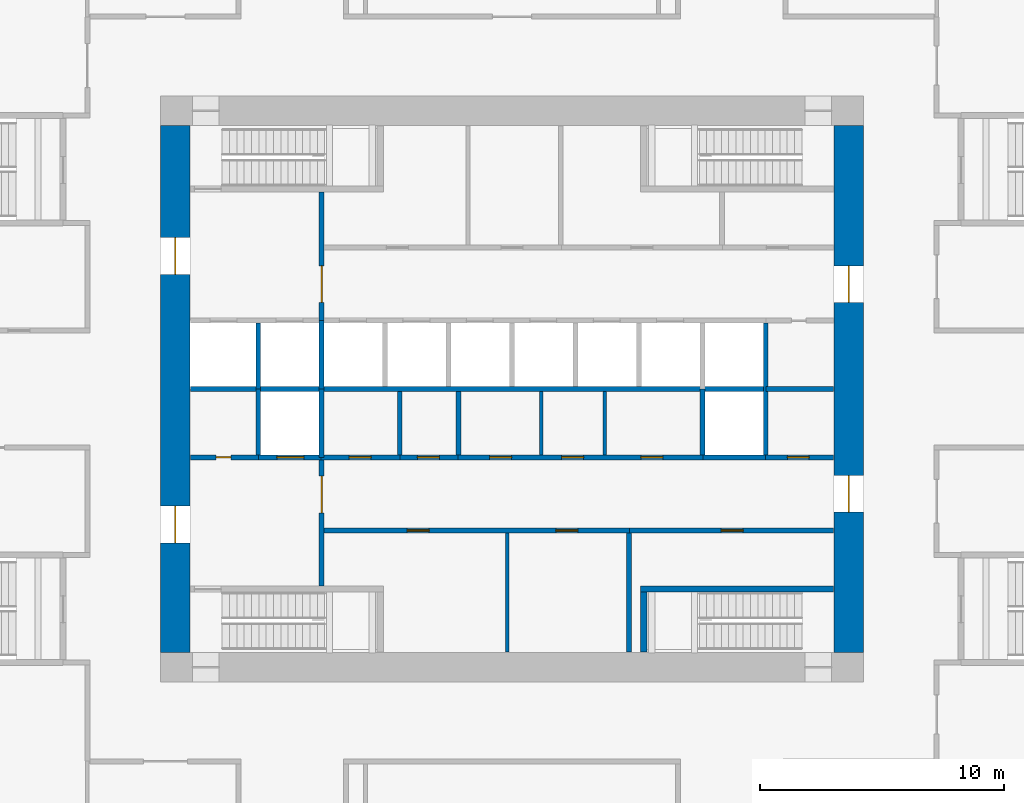
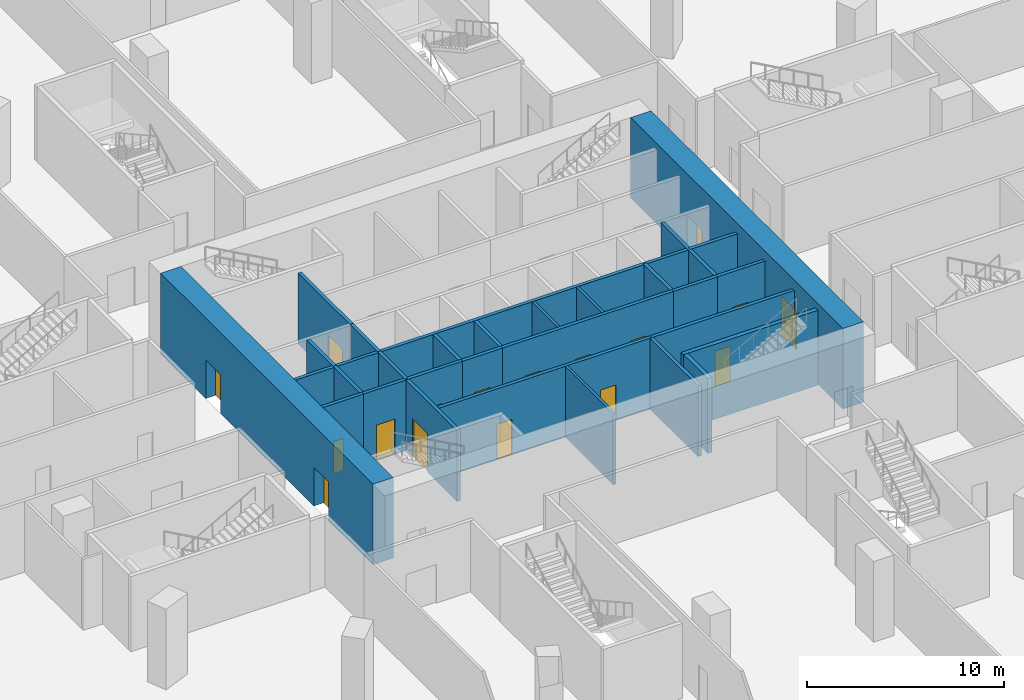
# One storey, part 23 of 32: 29 walls, 17 doors, 17 openings.
"""IFC4 building model written with IfcOpenShell, lengths in metres."""

from ifc_helpers import new_model, si_unit, direction, frame, frame_2d, origin, place, context, subcontext, project, spatial, rectangle, extrude, material, layer, layer_set, type_object, element, fill, save


model = new_model("IFC4")

# Units and contexts
model_context = context("Model", 3, precision=1e-05, world=origin(), true_north=direction((0.0, 1.0)))
body_context = subcontext(model_context, "Body", "Model", "MODEL_VIEW")
ifc_project = project(units=[si_unit("LENGTHUNIT", "METRE"), si_unit("AREAUNIT", "SQUARE_METRE"), si_unit("VOLUMEUNIT", "CUBIC_METRE"), si_unit("PLANEANGLEUNIT", "RADIAN"), si_unit("MASSUNIT", "GRAM", prefix="KILO")], contexts=[model_context])

# Site, building, storey
site_placement = place(None, origin())
site = spatial("IfcSite", under=ifc_project, at=site_placement, CompositionType="ELEMENT")
building_placement = place(site_placement, origin())
building = spatial("IfcBuilding", under=site, at=building_placement, Name="Msitu Wima Residences", CompositionType="ELEMENT")
storey_placement = place(building_placement, frame((0.0, 0.0, 6.0)))
storey = spatial("IfcBuildingStorey", under=building, at=storey_placement, Name="L01", CompositionType="ELEMENT", Elevation=6.0)

# Wall, openings, doors
ifc_material_1 = material(Name="Concrete C80/95", Category="concrete")
ifc_layer_1 = layer(ifc_material_1, 1.199951171875)
ifc_layer_set_1 = layer_set([ifc_layer_1], Name="Concrete C80/95")
wall_type_1 = type_object("IfcWallType", Name="Core wall CW1200 C80/95", PredefinedType="SHEAR", material=ifc_layer_set_1)
wall_1_placement = place(storey_placement, frame((13.800048828125, -10.800048828125, 0.0), z_axis=(0.0, 0.0, 1.0), x_axis=(0.0, 1.0, 0.0)))
wall_1 = element("IfcWall", 1, at=wall_1_placement, inside=storey, type_object=wall_type_1, Name="Core wall", PredefinedType="SHEAR", context=body_context, shape_type="SweptSolid", body=[
    extrude(rectangle(XDim=21.60009765625, YDim=1.199951171875, at=frame_2d((10.800048828125, 0.0))), origin(), (0.0, 0.0, 1.0), 5.0),
])
opening_1_placement = place(wall_1_placement, frame((14.35009765625, 0.0, 0.0)))
opening_1 = element("IfcOpeningElement", 2, at=opening_1_placement, cuts=wall_1, Name="Opening D01.059", PredefinedType="OPENING", context=body_context, shape_type="SweptSolid", body=[
    extrude(rectangle(XDim=1.5, YDim=2.39990234375, at=frame_2d((0.75, 1.199951171875))), frame((0.0, 0.60986328125, 0.0), z_axis=(0.0, -1.0, 0.0), x_axis=(1.0, 0.0, 0.0)), (0.0, 0.0, 1.0), 1.219970703125),
])
opening_2_placement = place(wall_1_placement, frame((5.75, 0.0, 0.0)))
opening_2 = element("IfcOpeningElement", 3, at=opening_2_placement, cuts=wall_1, Name="Opening D01.060", PredefinedType="OPENING", context=body_context, shape_type="SweptSolid", body=[
    extrude(rectangle(XDim=1.5, YDim=2.39990234375, at=frame_2d((0.75, 1.199951171875))), frame((0.0, 0.60986328125, 0.0), z_axis=(0.0, -1.0, 0.0), x_axis=(1.0, 0.0, 0.0)), (0.0, 0.0, 1.0), 1.219970703125),
])
ifc_material_2 = material(Name="Steel framed glazed door, fire resisting", Category="steel")
door_type_1 = type_object("IfcDoorType", Name="Lobby door D07 1500x2400", OperationType="DOUBLE_DOOR_SINGLE_SWING", PredefinedType="DOOR", material=ifc_material_2)
door_1_placement = place(opening_1_placement, origin())
door_1 = element("IfcDoor", 4, at=door_1_placement, inside=storey, type_object=door_type_1, Name="Lobby door", OperationType="DOUBLE_DOOR_SINGLE_SWING", OverallHeight=2.39990234375, OverallWidth=1.5, PredefinedType="DOOR", context=body_context, shape_type="SweptSolid", body=[
    extrude(rectangle(XDim=1.5, YDim=2.39990234375, at=frame_2d((0.75, 1.199951171875))), frame((0.0, 0.02490234375, 0.0), z_axis=(0.0, -1.0, 0.0), x_axis=(1.0, 0.0, 0.0)), (0.0, 0.0, 1.0), 0.050048828125),
])
fill(opening_1, door_1)
door_2_placement = place(opening_2_placement, origin())
door_2 = element("IfcDoor", 5, at=door_2_placement, inside=storey, type_object=door_type_1, Name="Lobby door", OperationType="DOUBLE_DOOR_SINGLE_SWING", OverallHeight=2.39990234375, OverallWidth=1.5, PredefinedType="DOOR", context=body_context, shape_type="SweptSolid", body=[
    extrude(rectangle(XDim=1.5, YDim=2.39990234375, at=frame_2d((0.75, 1.199951171875))), frame((0.0, 0.02490234375, 0.0), z_axis=(0.0, -1.0, 0.0), x_axis=(1.0, 0.0, 0.0)), (0.0, 0.0, 1.0), 0.050048828125),
])
fill(opening_2, door_2)

wall_2_placement = place(storey_placement, frame((-13.800048828125, -10.800048828125, 0.0), z_axis=(0.0, 0.0, 1.0), x_axis=(0.0, 1.0, 0.0)))
wall_2 = element("IfcWall", 6, at=wall_2_placement, inside=storey, type_object=wall_type_1, Name="Core wall", PredefinedType="SHEAR", context=body_context, shape_type="SweptSolid", body=[
    extrude(rectangle(XDim=21.60009765625, YDim=1.199951171875, at=frame_2d((10.800048828125, 0.0))), origin(), (0.0, 0.0, 1.0), 5.0),
])
opening_3_placement = place(wall_2_placement, frame((15.5, 0.0, 0.0)))
opening_3 = element("IfcOpeningElement", 7, at=opening_3_placement, cuts=wall_2, Name="Opening D01.061", PredefinedType="OPENING", context=body_context, shape_type="SweptSolid", body=[
    extrude(rectangle(XDim=1.5, YDim=2.39990234375, at=frame_2d((0.75, 1.199951171875))), frame((0.0, 0.60986328125, 0.0), z_axis=(0.0, -1.0, 0.0), x_axis=(1.0, 0.0, 0.0)), (0.0, 0.0, 1.0), 1.219970703125),
])
opening_4_placement = place(wall_2_placement, frame((4.5, 0.0, 0.0)))
opening_4 = element("IfcOpeningElement", 8, at=opening_4_placement, cuts=wall_2, Name="Opening D01.062", PredefinedType="OPENING", context=body_context, shape_type="SweptSolid", body=[
    extrude(rectangle(XDim=1.5, YDim=2.39990234375, at=frame_2d((0.75, 1.199951171875))), frame((0.0, 0.60986328125, 0.0), z_axis=(0.0, -1.0, 0.0), x_axis=(1.0, 0.0, 0.0)), (0.0, 0.0, 1.0), 1.219970703125),
])
door_3_placement = place(opening_3_placement, origin())
door_3 = element("IfcDoor", 9, at=door_3_placement, inside=storey, type_object=door_type_1, Name="Lobby door", OperationType="DOUBLE_DOOR_SINGLE_SWING", OverallHeight=2.39990234375, OverallWidth=1.5, PredefinedType="DOOR", context=body_context, shape_type="SweptSolid", body=[
    extrude(rectangle(XDim=1.5, YDim=2.39990234375, at=frame_2d((0.75, 1.199951171875))), frame((0.0, 0.02490234375, 0.0), z_axis=(0.0, -1.0, 0.0), x_axis=(1.0, 0.0, 0.0)), (0.0, 0.0, 1.0), 0.050048828125),
])
fill(opening_3, door_3)
door_4_placement = place(opening_4_placement, origin())
door_4 = element("IfcDoor", 10, at=door_4_placement, inside=storey, type_object=door_type_1, Name="Lobby door", OperationType="DOUBLE_DOOR_SINGLE_SWING", OverallHeight=2.39990234375, OverallWidth=1.5, PredefinedType="DOOR", context=body_context, shape_type="SweptSolid", body=[
    extrude(rectangle(XDim=1.5, YDim=2.39990234375, at=frame_2d((0.75, 1.199951171875))), frame((0.0, 0.02490234375, 0.0), z_axis=(0.0, -1.0, 0.0), x_axis=(1.0, 0.0, 0.0)), (0.0, 0.0, 1.0), 0.050048828125),
])
fill(opening_4, door_4)

# Wall, opening, door
ifc_material_3 = material(Name="Plaster")
ifc_layer_2 = layer(ifc_material_3, 0.011962890625, Name="Plaster")
ifc_material_4 = material(Name="Concrete blockwork", Category="masonry")
ifc_layer_3 = layer(ifc_material_4, 0.176025390625, Name="Concrete blockwork")
ifc_layer_4 = layer(ifc_material_3, 0.011962890625, Name="Plaster")
ifc_layer_set_2 = layer_set([ifc_layer_2, ifc_layer_3, ifc_layer_4], Name="Concrete blockwork")
wall_type_2 = type_object("IfcWallType", Name="Corridor wall FW200", PredefinedType="PARTITIONING", material=ifc_layer_set_2)
wall_3_placement = place(storey_placement, frame((-7.820068359375, -2.800048828125, 0.0), z_axis=(0.0, 0.0, 1.0), x_axis=(1.0, 0.0, 0.0)))
wall_3 = element("IfcWall", 11, at=wall_3_placement, inside=storey, type_object=wall_type_2, Name="Corridor wall", PredefinedType="PARTITIONING", context=body_context, shape_type="SweptSolid", body=[
    extrude(rectangle(XDim=3.239990234375, YDim=0.199951171875, at=frame_2d((1.6201171875, 0.0))), origin(), (0.0, 0.0, 1.0), 4.39990234375),
])
opening_5_placement = place(wall_3_placement, frame((1.14990234375, 0.0, 0.0)))
opening_5 = element("IfcOpeningElement", 12, at=opening_5_placement, cuts=wall_3, Name="Opening D01.021", PredefinedType="OPENING", context=body_context, shape_type="SweptSolid", body=[
    extrude(rectangle(XDim=0.89990234375, YDim=2.199951171875, at=frame_2d((0.449951171875, 1.10009765625))), frame((0.0, 0.10986328125, 0.0), z_axis=(0.0, -1.0, 0.0), x_axis=(1.0, 0.0, 0.0)), (0.0, 0.0, 1.0), 0.219970703125),
])
ifc_material_5 = material(Name="Timber flush door", Category="wood")
door_type_2 = type_object("IfcDoorType", Name="Service door D05 900x2200", OperationType="SINGLE_SWING_LEFT", PredefinedType="DOOR", material=ifc_material_5)
door_5_placement = place(opening_5_placement, origin())
door_5 = element("IfcDoor", 13, at=door_5_placement, inside=storey, type_object=door_type_2, Name="Service door", OperationType="SINGLE_SWING_LEFT", OverallHeight=2.199951171875, OverallWidth=0.89990234375, PredefinedType="DOOR", context=body_context, shape_type="SweptSolid", body=[
    extrude(rectangle(XDim=0.89990234375, YDim=2.199951171875, at=frame_2d((0.449951171875, 1.10009765625))), frame((0.0, 0.02490234375, 0.0), z_axis=(0.0, -1.0, 0.0), x_axis=(1.0, 0.0, 0.0)), (0.0, 0.0, 1.0), 0.050048828125),
])
fill(opening_5, door_5)

wall_4_placement = place(storey_placement, frame((-7.800048828125, -8.074951171875, 0.0), z_axis=(0.0, 0.0, 1.0), x_axis=(0.0, 1.0, 0.0)))
wall_4 = element("IfcWall", 14, at=wall_4_placement, inside=storey, type_object=wall_type_2, Name="Corridor wall", PredefinedType="PARTITIONING", context=body_context, shape_type="SweptSolid", body=[
    extrude(rectangle(XDim=5.27490234375, YDim=0.199951171875, at=frame_2d((2.637451171875, 0.0))), origin(), (0.0, 0.0, 1.0), 4.39990234375),
])
opening_6_placement = place(wall_4_placement, frame((3.0, 0.0, 0.0)))
opening_6 = element("IfcOpeningElement", 15, at=opening_6_placement, cuts=wall_4, Name="Opening D01.011", PredefinedType="OPENING", context=body_context, shape_type="SweptSolid", body=[
    extrude(rectangle(XDim=1.5, YDim=2.39990234375, at=frame_2d((0.75, 1.199951171875))), frame((0.0, 0.10986328125, 0.0), z_axis=(0.0, -1.0, 0.0), x_axis=(1.0, 0.0, 0.0)), (0.0, 0.0, 1.0), 0.219970703125),
])
door_6_placement = place(opening_6_placement, origin())
door_6 = element("IfcDoor", 16, at=door_6_placement, inside=storey, type_object=door_type_1, Name="Lobby door", OperationType="DOUBLE_DOOR_SINGLE_SWING", OverallHeight=2.39990234375, OverallWidth=1.5, PredefinedType="DOOR", context=body_context, shape_type="SweptSolid", body=[
    extrude(rectangle(XDim=1.5, YDim=2.39990234375, at=frame_2d((0.75, 1.199951171875))), frame((0.0, 0.02490234375, 0.0), z_axis=(0.0, -1.0, 0.0), x_axis=(1.0, 0.0, 0.0)), (0.0, 0.0, 1.0), 0.050048828125),
])
fill(opening_6, door_6)

# Wall, openings, doors
wall_5_placement = place(storey_placement, frame((-7.699951171875, -5.800048828125, 0.0), z_axis=(0.0, 0.0, 1.0), x_axis=(1.0, 0.0, 0.0)))
wall_5 = element("IfcWall", 17, at=wall_5_placement, inside=storey, type_object=wall_type_2, Name="Corridor wall", PredefinedType="PARTITIONING", context=body_context, shape_type="SweptSolid", body=[
    extrude(rectangle(XDim=12.52001953125, YDim=0.199951171875, at=frame_2d((6.260009765625, 0.0))), origin(), (0.0, 0.0, 1.0), 4.39990234375),
])
opening_7_placement = place(wall_5_placement, frame((3.39990234375, 0.0, 0.0)))
opening_7 = element("IfcOpeningElement", 18, at=opening_7_placement, cuts=wall_5, Name="Opening D01.016", PredefinedType="OPENING", context=body_context, shape_type="SweptSolid", body=[
    extrude(rectangle(XDim=0.89990234375, YDim=2.199951171875, at=frame_2d((0.449951171875, 1.10009765625))), frame((0.0, 0.10986328125, 0.0), z_axis=(0.0, -1.0, 0.0), x_axis=(1.0, 0.0, 0.0)), (0.0, 0.0, 1.0), 0.219970703125),
])
opening_8_placement = place(wall_5_placement, frame((9.5, 0.0, 0.0)))
opening_8 = element("IfcOpeningElement", 19, at=opening_8_placement, cuts=wall_5, Name="Opening D01.017", PredefinedType="OPENING", context=body_context, shape_type="SweptSolid", body=[
    extrude(rectangle(XDim=0.89990234375, YDim=2.199951171875, at=frame_2d((0.449951171875, 1.10009765625))), frame((0.0, 0.10986328125, 0.0), z_axis=(0.0, -1.0, 0.0), x_axis=(1.0, 0.0, 0.0)), (0.0, 0.0, 1.0), 0.219970703125),
])
door_7_placement = place(opening_7_placement, origin())
door_7 = element("IfcDoor", 20, at=door_7_placement, inside=storey, type_object=door_type_2, Name="Service door", OperationType="SINGLE_SWING_RIGHT", OverallHeight=2.199951171875, OverallWidth=0.89990234375, PredefinedType="DOOR", context=body_context, shape_type="SweptSolid", body=[
    extrude(rectangle(XDim=0.89990234375, YDim=2.199951171875, at=frame_2d((0.449951171875, 1.10009765625))), frame((0.0, 0.02490234375, 0.0), z_axis=(0.0, -1.0, 0.0), x_axis=(1.0, 0.0, 0.0)), (0.0, 0.0, 1.0), 0.050048828125),
])
fill(opening_7, door_7)
door_8_placement = place(opening_8_placement, origin())
door_8 = element("IfcDoor", 21, at=door_8_placement, inside=storey, type_object=door_type_2, Name="Service door", OperationType="SINGLE_SWING_RIGHT", OverallHeight=2.199951171875, OverallWidth=0.89990234375, PredefinedType="DOOR", context=body_context, shape_type="SweptSolid", body=[
    extrude(rectangle(XDim=0.89990234375, YDim=2.199951171875, at=frame_2d((0.449951171875, 1.10009765625))), frame((0.0, 0.02490234375, 0.0), z_axis=(0.0, -1.0, 0.0), x_axis=(1.0, 0.0, 0.0)), (0.0, 0.0, 1.0), 0.050048828125),
])
fill(opening_8, door_8)

# Wall, opening, door
wall_6_placement = place(storey_placement, frame((-7.800048828125, 2.800048828125, 0.0), z_axis=(0.0, 0.0, 1.0), x_axis=(0.0, 1.0, 0.0)))
wall_6 = element("IfcWall", 22, at=wall_6_placement, inside=storey, type_object=wall_type_2, Name="Corridor wall", PredefinedType="PARTITIONING", context=body_context, shape_type="SweptSolid", body=[
    extrude(rectangle(XDim=5.27490234375, YDim=0.199951171875, at=frame_2d((2.637451171875, 0.0))), origin(), (0.0, 0.0, 1.0), 4.39990234375),
])
opening_9_placement = place(wall_6_placement, frame((0.75, 0.0, 0.0)))
opening_9 = element("IfcOpeningElement", 23, at=opening_9_placement, cuts=wall_6, Name="Opening D01.010", PredefinedType="OPENING", context=body_context, shape_type="SweptSolid", body=[
    extrude(rectangle(XDim=1.5, YDim=2.39990234375, at=frame_2d((0.75, 1.199951171875))), frame((0.0, 0.10986328125, 0.0), z_axis=(0.0, -1.0, 0.0), x_axis=(1.0, 0.0, 0.0)), (0.0, 0.0, 1.0), 0.219970703125),
])
door_9_placement = place(opening_9_placement, origin())
door_9 = element("IfcDoor", 24, at=door_9_placement, inside=storey, type_object=door_type_1, Name="Lobby door", OperationType="DOUBLE_DOOR_SINGLE_SWING", OverallHeight=2.39990234375, OverallWidth=1.5, PredefinedType="DOOR", context=body_context, shape_type="SweptSolid", body=[
    extrude(rectangle(XDim=1.5, YDim=2.39990234375, at=frame_2d((0.75, 1.199951171875))), frame((0.0, 0.02490234375, 0.0), z_axis=(0.0, -1.0, 0.0), x_axis=(1.0, 0.0, 0.0)), (0.0, 0.0, 1.0), 0.050048828125),
])
fill(opening_9, door_9)

# Wall, openings, doors
wall_7_placement = place(storey_placement, frame((-2.219970703125, -2.800048828125, 0.0), z_axis=(0.0, 0.0, 1.0), x_axis=(1.0, 0.0, 0.0)))
wall_7 = element("IfcWall", 25, at=wall_7_placement, inside=storey, type_object=wall_type_2, Name="Corridor wall", PredefinedType="PARTITIONING", context=body_context, shape_type="SweptSolid", body=[
    extrude(rectangle(XDim=10.0400390625, YDim=0.199951171875, at=frame_2d((5.02001953125, 0.0))), origin(), (0.0, 0.0, 1.0), 4.39990234375),
])
opening_10_placement = place(wall_7_placement, frame((1.300048828125, 0.0, 0.0)))
opening_10 = element("IfcOpeningElement", 26, at=opening_10_placement, cuts=wall_7, Name="Opening D01.023", PredefinedType="OPENING", context=body_context, shape_type="SweptSolid", body=[
    extrude(rectangle(XDim=0.89990234375, YDim=2.199951171875, at=frame_2d((0.449951171875, 1.10009765625))), frame((0.0, 0.10986328125, 0.0), z_axis=(0.0, -1.0, 0.0), x_axis=(1.0, 0.0, 0.0)), (0.0, 0.0, 1.0), 0.219970703125),
])
opening_11_placement = place(wall_7_placement, frame((4.25, 0.0, 0.0)))
opening_11 = element("IfcOpeningElement", 27, at=opening_11_placement, cuts=wall_7, Name="Opening D01.024", PredefinedType="OPENING", context=body_context, shape_type="SweptSolid", body=[
    extrude(rectangle(XDim=0.89990234375, YDim=2.199951171875, at=frame_2d((0.449951171875, 1.10009765625))), frame((0.0, 0.10986328125, 0.0), z_axis=(0.0, -1.0, 0.0), x_axis=(1.0, 0.0, 0.0)), (0.0, 0.0, 1.0), 0.219970703125),
])
opening_12_placement = place(wall_7_placement, frame((7.5, 0.0, 0.0)))
opening_12 = element("IfcOpeningElement", 28, at=opening_12_placement, cuts=wall_7, Name="Opening D01.025", PredefinedType="OPENING", context=body_context, shape_type="SweptSolid", body=[
    extrude(rectangle(XDim=0.89990234375, YDim=2.199951171875, at=frame_2d((0.449951171875, 1.10009765625))), frame((0.0, 0.10986328125, 0.0), z_axis=(0.0, -1.0, 0.0), x_axis=(1.0, 0.0, 0.0)), (0.0, 0.0, 1.0), 0.219970703125),
])
door_10_placement = place(opening_10_placement, origin())
door_10 = element("IfcDoor", 29, at=door_10_placement, inside=storey, type_object=door_type_2, Name="Service door", OperationType="SINGLE_SWING_RIGHT", OverallHeight=2.199951171875, OverallWidth=0.89990234375, PredefinedType="DOOR", context=body_context, shape_type="SweptSolid", body=[
    extrude(rectangle(XDim=0.89990234375, YDim=2.199951171875, at=frame_2d((0.449951171875, 1.10009765625))), frame((0.0, 0.02490234375, 0.0), z_axis=(0.0, -1.0, 0.0), x_axis=(1.0, 0.0, 0.0)), (0.0, 0.0, 1.0), 0.050048828125),
])
fill(opening_10, door_10)
door_11_placement = place(opening_11_placement, origin())
door_11 = element("IfcDoor", 30, at=door_11_placement, inside=storey, type_object=door_type_2, Name="Service door", OperationType="SINGLE_SWING_LEFT", OverallHeight=2.199951171875, OverallWidth=0.89990234375, PredefinedType="DOOR", context=body_context, shape_type="SweptSolid", body=[
    extrude(rectangle(XDim=0.89990234375, YDim=2.199951171875, at=frame_2d((0.449951171875, 1.10009765625))), frame((0.0, 0.02490234375, 0.0), z_axis=(0.0, -1.0, 0.0), x_axis=(1.0, 0.0, 0.0)), (0.0, 0.0, 1.0), 0.050048828125),
])
fill(opening_11, door_11)
door_12_placement = place(opening_12_placement, origin())
door_12 = element("IfcDoor", 31, at=door_12_placement, inside=storey, type_object=door_type_2, Name="Service door", OperationType="SINGLE_SWING_LEFT", OverallHeight=2.199951171875, OverallWidth=0.89990234375, PredefinedType="DOOR", context=body_context, shape_type="SweptSolid", body=[
    extrude(rectangle(XDim=0.89990234375, YDim=2.199951171875, at=frame_2d((0.449951171875, 1.10009765625))), frame((0.0, 0.02490234375, 0.0), z_axis=(0.0, -1.0, 0.0), x_axis=(1.0, 0.0, 0.0)), (0.0, 0.0, 1.0), 0.050048828125),
])
fill(opening_12, door_12)

# Walls
ifc_layer_5 = layer(ifc_material_3, 0.011962890625, Name="Plaster")
ifc_layer_6 = layer(ifc_material_4, 0.1259765625, Name="Concrete blockwork")
ifc_layer_7 = layer(ifc_material_3, 0.011962890625, Name="Plaster")
ifc_layer_set_3 = layer_set([ifc_layer_5, ifc_layer_6, ifc_layer_7], Name="Concrete blockwork")
wall_type_3 = type_object("IfcWallType", Name="Partition PW150", PredefinedType="PARTITIONING", material=ifc_layer_set_3)
wall_8_placement = place(storey_placement, frame((-0.199951171875, -10.77001953125, 0.0), z_axis=(0.0, 0.0, 1.0), x_axis=(0.0, 1.0, 0.0)))
element("IfcWall", 32, at=wall_8_placement, inside=storey, type_object=wall_type_3, Name="Partition", PredefinedType="PARTITIONING", context=body_context, shape_type="SweptSolid", body=[
    extrude(rectangle(XDim=4.8701171875, YDim=0.14990234375, at=frame_2d((2.43505859375, 0.0))), origin(), (0.0, 0.0, 1.0), 4.39990234375),
])
for number, where, z_axis, x_axis, name in (
    (33, (1.199951171875, -2.699951171875, 0.0), (0.0, 0.0, 1.0), (0.0, 1.0, 0.0), "Partition"),
    (34, (3.800048828125, -2.699951171875, 0.0), (0.0, 0.0, 1.0), (0.0, 1.0, 0.0), "Partition"),
):
    element("IfcWall", number, at=place(storey_placement, frame(where, z_axis=z_axis, x_axis=x_axis)), inside=storey, type_object=wall_type_3, Name=name, PredefinedType="PARTITIONING", context=body_context, shape_type="SweptSolid", body=[
        extrude(rectangle(XDim=2.599853515625, YDim=0.14990234375, at=frame_2d((1.2998046875, 0.0))), origin(), (0.0, 0.0, 1.0), 4.39990234375),
    ])

# Wall, opening, door
ifc_layer_8 = layer(ifc_material_3, 0.011962890625, Name="Plaster")
ifc_material_6 = material(Name="Reinforced concrete blockwork", Category="masonry")
ifc_layer_9 = layer(ifc_material_6, 0.176025390625, Name="Reinforced concrete blockwork")
ifc_layer_10 = layer(ifc_material_3, 0.011962890625, Name="Plaster")
ifc_layer_set_4 = layer_set([ifc_layer_8, ifc_layer_9, ifc_layer_10], Name="Reinforced concrete blockwork")
wall_type_4 = type_object("IfcWallType", Name="Plant and riser wall PL200", PredefinedType="PARTITIONING", material=ifc_layer_set_4)
wall_9_placement = place(storey_placement, frame((-13.169921875, -2.800048828125, 0.0), z_axis=(0.0, 0.0, 1.0), x_axis=(1.0, 0.0, 0.0)))
wall_9 = element("IfcWall", 35, at=wall_9_placement, inside=storey, type_object=wall_type_4, Name="Plant and riser wall", PredefinedType="PARTITIONING", context=body_context, shape_type="SweptSolid", body=[
    extrude(rectangle(XDim=2.7900390625, YDim=0.199951171875, at=frame_2d((1.39501953125, 0.0))), origin(), (0.0, 0.0, 1.0), 4.39990234375),
])
opening_13_placement = place(wall_9_placement, frame((1.050048828125, 0.0, 0.0)))
opening_13 = element("IfcOpeningElement", 36, at=opening_13_placement, cuts=wall_9, Name="Opening D01.020", PredefinedType="OPENING", context=body_context, shape_type="SweptSolid", body=[
    extrude(rectangle(XDim=0.60009765625, YDim=2.0, at=frame_2d((0.300048828125, 1.0))), frame((0.0, 0.10986328125, 0.0), z_axis=(0.0, -1.0, 0.0), x_axis=(1.0, 0.0, 0.0)), (0.0, 0.0, 1.0), 0.219970703125),
])
ifc_material_7 = material(Name="Steel access door, fire resisting", Category="steel")
door_type_3 = type_object("IfcDoorType", Name="Riser access door D08 600x2000", OperationType="SINGLE_SWING_LEFT", PredefinedType="DOOR", material=ifc_material_7)
door_13_placement = place(opening_13_placement, origin())
door_13 = element("IfcDoor", 37, at=door_13_placement, inside=storey, type_object=door_type_3, Name="Riser access door", OperationType="SINGLE_SWING_RIGHT", OverallHeight=2.0, OverallWidth=0.60009765625, PredefinedType="DOOR", context=body_context, shape_type="SweptSolid", body=[
    extrude(rectangle(XDim=0.60009765625, YDim=2.0, at=frame_2d((0.300048828125, 1.0))), frame((0.0, 0.02490234375, 0.0), z_axis=(0.0, -1.0, 0.0), x_axis=(1.0, 0.0, 0.0)), (0.0, 0.0, 1.0), 0.050048828125),
])
fill(opening_13, door_13)

wall_10_placement = place(storey_placement, frame((-4.580078125, -2.800048828125, 0.0), z_axis=(0.0, 0.0, 1.0), x_axis=(1.0, 0.0, 0.0)))
wall_10 = element("IfcWall", 38, at=wall_10_placement, inside=storey, type_object=wall_type_4, Name="Plant and riser wall", PredefinedType="PARTITIONING", context=body_context, shape_type="SweptSolid", body=[
    extrude(rectangle(XDim=2.360107421875, YDim=0.199951171875, at=frame_2d((1.18017578125, 0.0))), origin(), (0.0, 0.0, 1.0), 4.39990234375),
])
opening_14_placement = place(wall_10_placement, frame((0.699951171875, 0.0, 0.0)))
opening_14 = element("IfcOpeningElement", 39, at=opening_14_placement, cuts=wall_10, Name="Opening D01.022", PredefinedType="OPENING", context=body_context, shape_type="SweptSolid", body=[
    extrude(rectangle(XDim=0.89990234375, YDim=2.199951171875, at=frame_2d((0.449951171875, 1.10009765625))), frame((0.0, 0.10986328125, 0.0), z_axis=(0.0, -1.0, 0.0), x_axis=(1.0, 0.0, 0.0)), (0.0, 0.0, 1.0), 0.219970703125),
])
door_14_placement = place(opening_14_placement, origin())
door_14 = element("IfcDoor", 40, at=door_14_placement, inside=storey, type_object=door_type_2, Name="Service door", OperationType="SINGLE_SWING_LEFT", OverallHeight=2.199951171875, OverallWidth=0.89990234375, PredefinedType="DOOR", context=body_context, shape_type="SweptSolid", body=[
    extrude(rectangle(XDim=0.89990234375, YDim=2.199951171875, at=frame_2d((0.449951171875, 1.10009765625))), frame((0.0, 0.02490234375, 0.0), z_axis=(0.0, -1.0, 0.0), x_axis=(1.0, 0.0, 0.0)), (0.0, 0.0, 1.0), 0.050048828125),
])
fill(opening_14, door_14)

# Walls
for number, where, z_axis, x_axis, name in (
    (41, (-4.60009765625, -2.699951171875, 0.0), (0.0, 0.0, 1.0), (0.0, 1.0, 0.0), "Plant and riser wall"),
    (42, (-2.199951171875, -2.699951171875, 0.0), (0.0, 0.0, 1.0), (0.0, 1.0, 0.0), "Plant and riser wall"),
):
    element("IfcWall", number, at=place(storey_placement, frame(where, z_axis=z_axis, x_axis=x_axis)), inside=storey, type_object=wall_type_4, Name=name, PredefinedType="PARTITIONING", context=body_context, shape_type="SweptSolid", body=[
        extrude(rectangle(XDim=2.599853515625, YDim=0.199951171875, at=frame_2d((1.2998046875, 0.0))), origin(), (0.0, 0.0, 1.0), 4.39990234375),
    ])

# Wall, opening, door
wall_11_placement = place(storey_placement, frame((4.820068359375, -5.800048828125, 0.0), z_axis=(0.0, 0.0, 1.0), x_axis=(1.0, 0.0, 0.0)))
wall_11 = element("IfcWall", 43, at=wall_11_placement, inside=storey, type_object=wall_type_4, Name="Plant and riser wall", PredefinedType="PARTITIONING", context=body_context, shape_type="SweptSolid", body=[
    extrude(rectangle(XDim=8.349853515625, YDim=0.199951171875, at=frame_2d((4.1748046875, 0.0))), origin(), (0.0, 0.0, 1.0), 4.39990234375),
])
opening_15_placement = place(wall_11_placement, frame((3.75, 0.0, 0.0)))
opening_15 = element("IfcOpeningElement", 44, at=opening_15_placement, cuts=wall_11, Name="Opening D01.018", PredefinedType="OPENING", context=body_context, shape_type="SweptSolid", body=[
    extrude(rectangle(XDim=0.89990234375, YDim=2.199951171875, at=frame_2d((0.449951171875, 1.10009765625))), frame((0.0, 0.10986328125, 0.0), z_axis=(0.0, -1.0, 0.0), x_axis=(1.0, 0.0, 0.0)), (0.0, 0.0, 1.0), 0.219970703125),
])
door_15_placement = place(opening_15_placement, origin())
door_15 = element("IfcDoor", 45, at=door_15_placement, inside=storey, type_object=door_type_2, Name="Service door", OperationType="SINGLE_SWING_LEFT", OverallHeight=2.199951171875, OverallWidth=0.89990234375, PredefinedType="DOOR", context=body_context, shape_type="SweptSolid", body=[
    extrude(rectangle(XDim=0.89990234375, YDim=2.199951171875, at=frame_2d((0.449951171875, 1.10009765625))), frame((0.0, 0.02490234375, 0.0), z_axis=(0.0, -1.0, 0.0), x_axis=(1.0, 0.0, 0.0)), (0.0, 0.0, 1.0), 0.050048828125),
])
fill(opening_15, door_15)

# Wall
wall_12_placement = place(storey_placement, frame((4.800048828125, -10.77001953125, 0.0), z_axis=(0.0, 0.0, 1.0), x_axis=(0.0, 1.0, 0.0)))
element("IfcWall", 46, at=wall_12_placement, inside=storey, type_object=wall_type_4, Name="Plant and riser wall", PredefinedType="PARTITIONING", context=body_context, shape_type="SweptSolid", body=[
    extrude(rectangle(XDim=4.8701171875, YDim=0.199951171875, at=frame_2d((2.43505859375, 0.0))), origin(), (0.0, 0.0, 1.0), 4.39990234375),
])

# Wall, opening, door
wall_13_placement = place(storey_placement, frame((10.3798828125, -2.800048828125, 0.0), z_axis=(0.0, 0.0, 1.0), x_axis=(1.0, 0.0, 0.0)))
wall_13 = element("IfcWall", 47, at=wall_13_placement, inside=storey, type_object=wall_type_4, Name="Plant and riser wall", PredefinedType="PARTITIONING", context=body_context, shape_type="SweptSolid", body=[
    extrude(rectangle(XDim=2.7900390625, YDim=0.199951171875, at=frame_2d((1.39501953125, 0.0))), origin(), (0.0, 0.0, 1.0), 4.39990234375),
])
opening_16_placement = place(wall_13_placement, frame((0.89990234375, 0.0, 0.0)))
opening_16 = element("IfcOpeningElement", 48, at=opening_16_placement, cuts=wall_13, Name="Opening D01.009", PredefinedType="OPENING", context=body_context, shape_type="SweptSolid", body=[
    extrude(rectangle(XDim=0.89990234375, YDim=2.199951171875, at=frame_2d((0.449951171875, 1.10009765625))), frame((0.0, 0.10986328125, 0.0), z_axis=(0.0, -1.0, 0.0), x_axis=(1.0, 0.0, 0.0)), (0.0, 0.0, 1.0), 0.219970703125),
])
door_16_placement = place(opening_16_placement, origin())
door_16 = element("IfcDoor", 49, at=door_16_placement, inside=storey, type_object=door_type_2, Name="Service door", OperationType="SINGLE_SWING_LEFT", OverallHeight=2.199951171875, OverallWidth=0.89990234375, PredefinedType="DOOR", context=body_context, shape_type="SweptSolid", body=[
    extrude(rectangle(XDim=0.89990234375, YDim=2.199951171875, at=frame_2d((0.449951171875, 1.10009765625))), frame((0.0, 0.02490234375, 0.0), z_axis=(0.0, -1.0, 0.0), x_axis=(1.0, 0.0, 0.0)), (0.0, 0.0, 1.0), 0.050048828125),
])
fill(opening_16, door_16)

# Walls
wall_14_placement = place(storey_placement, frame((10.39990234375, 0.0, 0.0), z_axis=(0.0, 0.0, 1.0), x_axis=(1.0, 0.0, 0.0)))
element("IfcWall", 50, at=wall_14_placement, inside=storey, type_object=wall_type_4, Name="Plant and riser wall", PredefinedType="PARTITIONING", context=body_context, shape_type="SweptSolid", body=[
    extrude(rectangle(XDim=2.77001953125, YDim=0.199951171875, at=frame_2d((1.385009765625, 0.0))), origin(), (0.0, 0.0, 1.0), 4.39990234375),
])
ifc_material_8 = material(Name="Fire-rated board")
ifc_layer_11 = layer(ifc_material_8, 0.02490234375, Name="Fire-rated board")
ifc_material_9 = material(Name="Light-gauge stud framing with mineral wool")
ifc_layer_12 = layer(ifc_material_9, 0.14990234375, Name="Light-gauge stud framing with mineral wool")
ifc_layer_13 = layer(ifc_material_8, 0.02490234375, Name="Fire-rated board")
ifc_layer_set_5 = layer_set([ifc_layer_11, ifc_layer_12, ifc_layer_13], Name="Light-gauge stud framing with mineral wool")
wall_type_5 = type_object("IfcWallType", Name="Shaft wall SH200", PredefinedType="PARTITIONING", material=ifc_layer_set_5)
wall_15_placement = place(storey_placement, frame((-13.169921875, 0.0, 0.0), z_axis=(0.0, 0.0, 1.0), x_axis=(1.0, 0.0, 0.0)))
element("IfcWall", 51, at=wall_15_placement, inside=storey, type_object=wall_type_5, Name="Shaft wall", PredefinedType="PARTITIONING", context=body_context, shape_type="SweptSolid", body=[
    extrude(rectangle(XDim=23.56982421875, YDim=0.199951171875, at=frame_2d((11.784912109375, 0.0))), origin(), (0.0, 0.0, 1.0), 4.39990234375),
])
wall_16_placement = place(storey_placement, frame((-10.39990234375, -2.699951171875, 0.0), z_axis=(0.0, 0.0, 1.0), x_axis=(0.0, 1.0, 0.0)))
element("IfcWall", 52, at=wall_16_placement, inside=storey, type_object=wall_type_5, Name="Shaft wall", PredefinedType="PARTITIONING", context=body_context, shape_type="SweptSolid", body=[
    extrude(rectangle(XDim=2.699951171875, YDim=0.199951171875, at=frame_2d((1.35009765625, 0.0))), origin(), (0.0, 0.0, 1.0), 4.39990234375),
])

# Wall, opening, door
wall_17_placement = place(storey_placement, frame((-10.3798828125, -2.800048828125, 0.0), z_axis=(0.0, 0.0, 1.0), x_axis=(1.0, 0.0, 0.0)))
wall_17 = element("IfcWall", 53, at=wall_17_placement, inside=storey, type_object=wall_type_5, Name="Shaft wall", PredefinedType="PARTITIONING", context=body_context, shape_type="SweptSolid", body=[
    extrude(rectangle(XDim=2.559814453125, YDim=0.199951171875, at=frame_2d((1.27978515625, 0.0))), origin(), (0.0, 0.0, 1.0), 4.39990234375),
])
opening_17_placement = place(wall_17_placement, frame((0.75, 0.0, 0.0)))
opening_17 = element("IfcOpeningElement", 54, at=opening_17_placement, cuts=wall_17, Name="Opening LD", PredefinedType="OPENING", context=body_context, shape_type="SweptSolid", body=[
    extrude(rectangle(XDim=1.10009765625, YDim=2.199951171875, at=frame_2d((0.550048828125, 1.10009765625))), frame((0.0, 0.10986328125, 0.0), z_axis=(0.0, -1.0, 0.0), x_axis=(1.0, 0.0, 0.0)), (0.0, 0.0, 1.0), 0.219970703125),
])
ifc_material_10 = material(Name="Stainless steel centre-opening landing door, rated", Category="steel")
door_type_4 = type_object("IfcDoorType", Name="Lift landing door LD 1100x2200", OperationType="DOUBLE_DOOR_SLIDING", PredefinedType="DOOR", material=ifc_material_10)
door_17_placement = place(opening_17_placement, origin())
door_17 = element("IfcDoor", 55, at=door_17_placement, inside=storey, type_object=door_type_4, Name="Lift landing door LD3", OperationType="DOUBLE_DOOR_SLIDING", OverallHeight=2.199951171875, OverallWidth=1.10009765625, PredefinedType="DOOR", context=body_context, shape_type="SweptSolid", body=[
    extrude(rectangle(XDim=1.10009765625, YDim=2.199951171875, at=frame_2d((0.550048828125, 1.10009765625))), frame((0.0, 0.02490234375, 0.0), z_axis=(0.0, -1.0, 0.0), x_axis=(1.0, 0.0, 0.0)), (0.0, 0.0, 1.0), 0.050048828125),
])
fill(opening_17, door_17)

# Walls
wall_18_placement = place(storey_placement, frame((-10.39990234375, 0.0, 0.0), z_axis=(0.0, 0.0, 1.0), x_axis=(0.0, 1.0, 0.0)))
element("IfcWall", 56, at=wall_18_placement, inside=storey, type_object=wall_type_5, Name="Shaft wall", PredefinedType="PARTITIONING", context=body_context, shape_type="SweptSolid", body=[
    extrude(rectangle(XDim=2.699951171875, YDim=0.199951171875, at=frame_2d((1.35009765625, 0.0))), origin(), (0.0, 0.0, 1.0), 4.39990234375),
])
for number, where, z_axis, x_axis, name in (
    (57, (-7.800048828125, -2.800048828125, 0.0), (0.0, 0.0, 1.0), (0.0, 1.0, 0.0), "Shaft wall"),
    (58, (-7.800048828125, 0.0, 0.0), (0.0, 0.0, 1.0), (0.0, 1.0, 0.0), "Shaft wall"),
):
    element("IfcWall", number, at=place(storey_placement, frame(where, z_axis=z_axis, x_axis=x_axis)), inside=storey, type_object=wall_type_5, Name=name, PredefinedType="PARTITIONING", context=body_context, shape_type="SweptSolid", body=[
        extrude(rectangle(XDim=2.800048828125, YDim=0.199951171875, at=frame_2d((1.39990234375, 0.0))), origin(), (0.0, 0.0, 1.0), 4.39990234375),
    ])
wall_19_placement = place(storey_placement, frame((7.800048828125, -2.699951171875, 0.0), z_axis=(0.0, 0.0, 1.0), x_axis=(0.0, 1.0, 0.0)))
element("IfcWall", 59, at=wall_19_placement, inside=storey, type_object=wall_type_5, Name="Shaft wall", PredefinedType="PARTITIONING", context=body_context, shape_type="SweptSolid", body=[
    extrude(rectangle(XDim=2.699951171875, YDim=0.199951171875, at=frame_2d((1.35009765625, 0.0))), origin(), (0.0, 0.0, 1.0), 4.39990234375),
])
wall_20_placement = place(storey_placement, frame((7.820068359375, -2.800048828125, 0.0), z_axis=(0.0, 0.0, 1.0), x_axis=(1.0, 0.0, 0.0)))
element("IfcWall", 60, at=wall_20_placement, inside=storey, type_object=wall_type_5, Name="Shaft wall", PredefinedType="PARTITIONING", context=body_context, shape_type="SweptSolid", body=[
    extrude(rectangle(XDim=2.559814453125, YDim=0.199951171875, at=frame_2d((1.27978515625, 0.0))), origin(), (0.0, 0.0, 1.0), 4.39990234375),
])
wall_21_placement = place(storey_placement, frame((10.39990234375, -2.699951171875, 0.0), z_axis=(0.0, 0.0, 1.0), x_axis=(0.0, 1.0, 0.0)))
element("IfcWall", 61, at=wall_21_placement, inside=storey, type_object=wall_type_5, Name="Shaft wall", PredefinedType="PARTITIONING", context=body_context, shape_type="SweptSolid", body=[
    extrude(rectangle(XDim=5.39990234375, YDim=0.199951171875, at=frame_2d((2.699951171875, 0.0))), origin(), (0.0, 0.0, 1.0), 4.39990234375),
])
ifc_material_11 = material(Name="Concrete C50/60", Category="concrete")
ifc_layer_14 = layer(ifc_material_11, 0.25)
ifc_layer_set_6 = layer_set([ifc_layer_14], Name="Concrete C50/60")
wall_type_6 = type_object("IfcWallType", Name="Stair enclosure wall SW250", PredefinedType="SHEAR", material=ifc_layer_set_6)
wall_22_placement = place(storey_placement, frame((5.39990234375, -10.77001953125, 0.0), z_axis=(0.0, 0.0, 1.0), x_axis=(0.0, 1.0, 0.0)))
element("IfcWall", 62, at=wall_22_placement, inside=storey, type_object=wall_type_6, Name="Stair enclosure wall", PredefinedType="SHEAR", context=body_context, shape_type="SweptSolid", body=[
    extrude(rectangle(XDim=2.445068359375, YDim=0.25, at=frame_2d((1.22265625, 0.0))), origin(), (0.0, 0.0, 1.0), 4.64990234375),
])
wall_23_placement = place(storey_placement, frame((5.27490234375, -8.199951171875, 0.0), z_axis=(0.0, 0.0, 1.0), x_axis=(1.0, 0.0, 0.0)))
element("IfcWall", 63, at=wall_23_placement, inside=storey, type_object=wall_type_6, Name="Stair enclosure wall", PredefinedType="SHEAR", context=body_context, shape_type="SweptSolid", body=[
    extrude(rectangle(XDim=7.89501953125, YDim=0.25, at=frame_2d((3.947509765625, 0.0))), origin(), (0.0, 0.0, 1.0), 4.64990234375),
])

save(model, "model.ifc")
